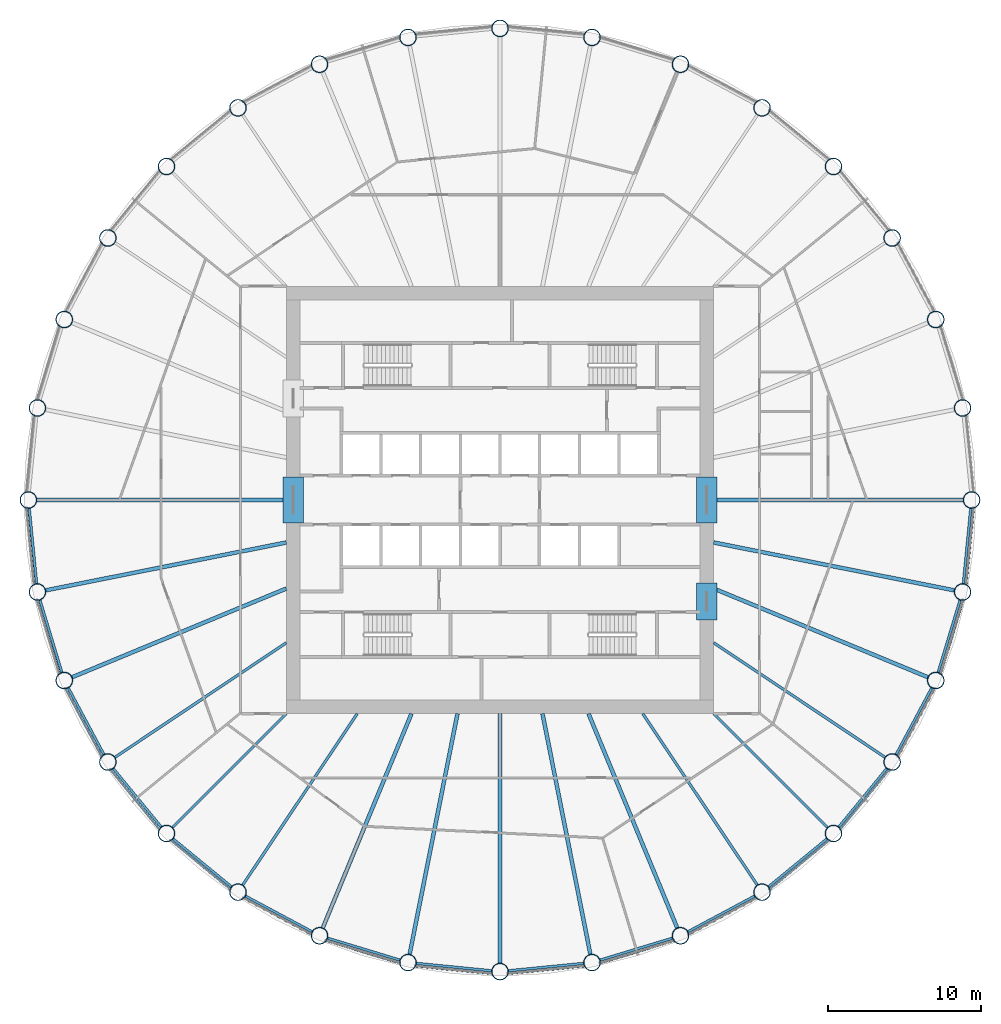
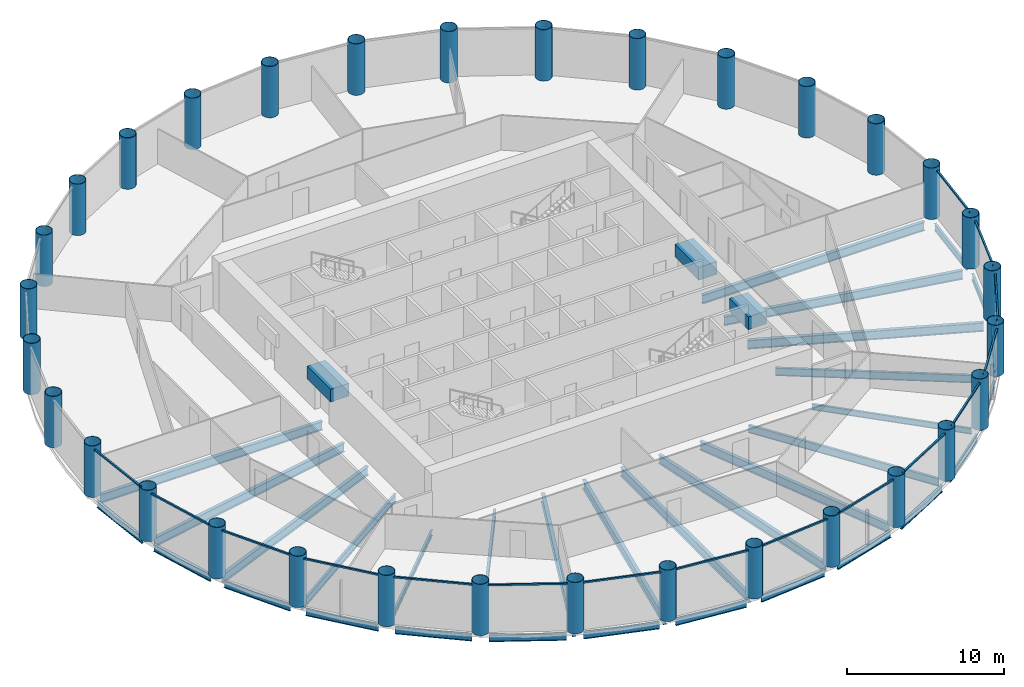
# One storey, part 1 of 9: 36 beams, 32 columns, 16 members, 16 elements without a shape of their own.
"""IFC4 building model written with IfcOpenShell, lengths in metres."""

from ifc_helpers import new_model, si_unit, direction, frame, origin, origin_2d, place, context, subcontext, project, spatial, rectangle, hollow_circle, i_section, extrude, material, material_profile, profile_set, type_object, element, aggregate, save


model = new_model("IFC4")

# Units and contexts
model_context = context("Model", 3, precision=1e-05, world=origin(), true_north=direction((0.0, 1.0)))
body_context = subcontext(model_context, "Body", "Model", "MODEL_VIEW")
ifc_project = project(units=[si_unit("LENGTHUNIT", "METRE"), si_unit("AREAUNIT", "SQUARE_METRE"), si_unit("VOLUMEUNIT", "CUBIC_METRE"), si_unit("PLANEANGLEUNIT", "RADIAN"), si_unit("MASSUNIT", "GRAM", prefix="KILO")], contexts=[model_context])

# Site, building, storey
site_placement = place(None, origin())
site = spatial("IfcSite", under=ifc_project, at=site_placement, CompositionType="ELEMENT")
building_placement = place(site_placement, origin())
building = spatial("IfcBuilding", under=site, at=building_placement, Name="Corvane Civic Tower", CompositionType="ELEMENT")
storey_placement = place(building_placement, frame((0.0, 0.0, 184.0)))
storey = spatial("IfcBuildingStorey", under=building, at=storey_placement, Name="L43", CompositionType="ELEMENT", Elevation=184.0)

# Columns
ifc_material_1 = material(Name="Steel ASTM A572 Gr 50", Category="steel")
ifc_material_profile_1 = material_profile(ifc_material_1, hollow_circle(Radius=0.550048828125, WallThickness=0.031982421875, at=origin_2d()), Name="CHS1100X32")
ifc_profile_set_1 = profile_set([ifc_material_profile_1], Name="Steel ASTM A572 Gr 50")
column_type = type_object("IfcColumnType", Name="COMPOSITE COLUMN CHS1100X32", PredefinedType="COLUMN", material=ifc_profile_set_1)
for number, where, z_axis, x_axis, name in (
    (1, (0.0, 30.89990234375, 0.0), (0.0, 0.0, 1.0), (1.0, 0.0, 0.0), "COL-L43-C01"),
    (2, (6.0283203125, 30.30615234375, 0.0), (0.0, 0.0, 1.0), (1.0, 0.0, 0.0), "COL-L43-C02"),
    (3, (11.824951171875, 28.5478515625, 0.0), (0.0, 0.0, 1.0), (1.0, 0.0, 0.0), "COL-L43-C03"),
    (4, (17.167236328125, 25.6923828125, 0.0), (0.0, 0.0, 1.0), (1.0, 0.0, 0.0), "COL-L43-C04"),
    (5, (21.849609375, 21.849609375, 0.0), (0.0, 0.0, 1.0), (1.0, 0.0, 0.0), "COL-L43-C05"),
    (6, (25.6923828125, 17.167236328125, 0.0), (0.0, 0.0, 1.0), (1.0, 0.0, 0.0), "COL-L43-C06"),
    (7, (28.5478515625, 11.824951171875, 0.0), (0.0, 0.0, 1.0), (1.0, 0.0, 0.0), "COL-L43-C07"),
    (8, (30.30615234375, 6.0283203125, 0.0), (0.0, 0.0, 1.0), (1.0, 0.0, 0.0), "COL-L43-C08"),
    (9, (30.89990234375, 0.0, 0.0), (0.0, 0.0, 1.0), (1.0, 0.0, 0.0), "COL-L43-C09"),
    (10, (30.30615234375, -6.0283203125, 0.0), (0.0, 0.0, 1.0), (1.0, 0.0, 0.0), "COL-L43-C10"),
    (11, (28.5478515625, -11.824951171875, 0.0), (0.0, 0.0, 1.0), (1.0, 0.0, 0.0), "COL-L43-C11"),
    (12, (25.6923828125, -17.167236328125, 0.0), (0.0, 0.0, 1.0), (1.0, 0.0, 0.0), "COL-L43-C12"),
    (13, (21.849609375, -21.849609375, 0.0), (0.0, 0.0, 1.0), (1.0, 0.0, 0.0), "COL-L43-C13"),
    (14, (17.167236328125, -25.6923828125, 0.0), (0.0, 0.0, 1.0), (1.0, 0.0, 0.0), "COL-L43-C14"),
    (15, (11.824951171875, -28.5478515625, 0.0), (0.0, 0.0, 1.0), (1.0, 0.0, 0.0), "COL-L43-C15"),
    (16, (6.0283203125, -30.30615234375, 0.0), (0.0, 0.0, 1.0), (1.0, 0.0, 0.0), "COL-L43-C16"),
    (17, (0.0, -30.89990234375, 0.0), (0.0, 0.0, 1.0), (1.0, 0.0, 0.0), "COL-L43-C17"),
    (18, (-6.0283203125, -30.30615234375, 0.0), (0.0, 0.0, 1.0), (1.0, 0.0, 0.0), "COL-L43-C18"),
    (19, (-11.824951171875, -28.5478515625, 0.0), (0.0, 0.0, 1.0), (1.0, 0.0, 0.0), "COL-L43-C19"),
    (20, (-17.167236328125, -25.6923828125, 0.0), (0.0, 0.0, 1.0), (1.0, 0.0, 0.0), "COL-L43-C20"),
    (21, (-21.849609375, -21.849609375, 0.0), (0.0, 0.0, 1.0), (1.0, 0.0, 0.0), "COL-L43-C21"),
    (22, (-25.6923828125, -17.167236328125, 0.0), (0.0, 0.0, 1.0), (1.0, 0.0, 0.0), "COL-L43-C22"),
    (23, (-28.5478515625, -11.824951171875, 0.0), (0.0, 0.0, 1.0), (1.0, 0.0, 0.0), "COL-L43-C23"),
    (24, (-30.30615234375, -6.0283203125, 0.0), (0.0, 0.0, 1.0), (1.0, 0.0, 0.0), "COL-L43-C24"),
    (25, (-30.89990234375, 0.0, 0.0), (0.0, 0.0, 1.0), (1.0, 0.0, 0.0), "COL-L43-C25"),
    (26, (-30.30615234375, 6.0283203125, 0.0), (0.0, 0.0, 1.0), (1.0, 0.0, 0.0), "COL-L43-C26"),
    (27, (-28.5478515625, 11.824951171875, 0.0), (0.0, 0.0, 1.0), (1.0, 0.0, 0.0), "COL-L43-C27"),
    (28, (-25.6923828125, 17.167236328125, 0.0), (0.0, 0.0, 1.0), (1.0, 0.0, 0.0), "COL-L43-C28"),
    (29, (-21.849609375, 21.849609375, 0.0), (0.0, 0.0, 1.0), (1.0, 0.0, 0.0), "COL-L43-C29"),
    (30, (-17.167236328125, 25.6923828125, 0.0), (0.0, 0.0, 1.0), (1.0, 0.0, 0.0), "COL-L43-C30"),
    (31, (-11.824951171875, 28.5478515625, 0.0), (0.0, 0.0, 1.0), (1.0, 0.0, 0.0), "COL-L43-C31"),
    (32, (-6.0283203125, 30.30615234375, 0.0), (0.0, 0.0, 1.0), (1.0, 0.0, 0.0), "COL-L43-C32"),
):
    element("IfcColumn", number, at=place(storey_placement, frame(where, z_axis=z_axis, x_axis=x_axis)), inside=storey, type_object=column_type, Name=name, PredefinedType="COLUMN", context=body_context, shape_type="SweptSolid", body=[
        extrude(hollow_circle(Radius=0.550048828125, WallThickness=0.031982421875, at=origin_2d()), origin(), (0.0, 0.0, 1.0), 4.0),
    ])

# Beams
ifc_material_2 = material(Name="Concrete C60/75", Category="concrete")
ifc_material_profile_2 = material_profile(ifc_material_2, rectangle(XDim=1.35009765625, YDim=1.0, at=origin_2d()), Name="COUPLING BEAM 1350X1000")
ifc_profile_set_2 = profile_set([ifc_material_profile_2], Name="Concrete C60/75")
beam_type_1 = type_object("IfcBeamType", Name="COUPLING BEAM COUPLING BEAM 1350X1000", PredefinedType="BEAM", material=ifc_profile_set_2)
for number, where, z_axis, x_axis, name in (
    (33, (-13.550048828125, -1.5, 2.60009765625), (0.0, 1.0, 0.0), (-1.0, 0.0, 0.0), "BM-L43-cpl-CW-LW"),
    (34, (13.550048828125, -1.5, 2.60009765625), (0.0, 1.0, 0.0), (-1.0, 0.0, 0.0), "BM-L43-cpl-CW-LE"),
):
    element("IfcBeam", number, at=place(storey_placement, frame(where, z_axis=z_axis, x_axis=x_axis)), inside=storey, type_object=beam_type_1, Name=name, PredefinedType="BEAM", context=body_context, shape_type="SweptSolid", body=[
        extrude(rectangle(XDim=1.35009765625, YDim=1.0, at=origin_2d()), origin(), (0.0, 0.0, 1.0), 3.0),
    ])
beam_1_placement = place(storey_placement, frame((13.550048828125, -7.85009765625, 2.60009765625), z_axis=(0.0, 1.0, 0.0), x_axis=(-1.0, 0.0, 0.0)))
element("IfcBeam", 35, at=beam_1_placement, inside=storey, type_object=beam_type_1, Name="BM-L43-cpl-CW-ES", PredefinedType="BEAM", context=body_context, shape_type="SweptSolid", body=[
    extrude(rectangle(XDim=1.35009765625, YDim=1.0, at=origin_2d()), origin(), (0.0, 0.0, 1.0), 2.400146484375),
])
ifc_material_3 = material(Name="Steel ASTM A992 Gr 50", Category="steel")
ifc_material_profile_3 = material_profile(ifc_material_3, i_section(OverallWidth=0.165771484375, OverallDepth=0.5283203125, WebThickness=0.009765625, FlangeThickness=0.013671875, at=origin_2d()), Name="W21X50")
ifc_profile_set_3 = profile_set([ifc_material_profile_3], Name="Steel ASTM A992 Gr 50")
beam_type_2 = type_object("IfcBeamType", Name="EDGE BEAM W21X50", PredefinedType="BEAM", material=ifc_profile_set_3)
beam_2_placement = place(storey_placement, frame((30.845947265625, -0.54736328125, -0.564208984375), z_axis=(-0.09800181167, -0.995186236294, 0.0), x_axis=(0.995186236294, -0.09800181167, 0.0)))
element("IfcBeam", 36, at=beam_2_placement, inside=storey, type_object=beam_type_2, Name="BM-L43-E09", PredefinedType="BEAM", context=body_context, shape_type="SweptSolid", body=[
    extrude(i_section(OverallWidth=0.165771484375, OverallDepth=0.5283203125, WebThickness=0.009765625, FlangeThickness=0.013671875, at=origin_2d()), origin(), (0.0, 0.0, 1.0), 4.95751953125),
])
beam_3_placement = place(storey_placement, frame((30.146484375, -6.5546875, -0.564208984375), z_axis=(-0.290269821381, -0.956944842086, 0.0), x_axis=(0.956944842086, -0.290269821381, 0.0)))
element("IfcBeam", 37, at=beam_3_placement, inside=storey, type_object=beam_type_2, Name="BM-L43-E10", PredefinedType="BEAM", context=body_context, shape_type="SweptSolid", body=[
    extrude(i_section(OverallWidth=0.165771484375, OverallDepth=0.5283203125, WebThickness=0.009765625, FlangeThickness=0.013671875, at=origin_2d()), origin(), (0.0, 0.0, 1.0), 4.957275390625),
])
for number, where, z_axis, x_axis, name in (
    (38, (28.28857421875, -12.31005859375, -0.564208984375), (-0.471395763042, -0.881921784846, 0.0), (0.881921784846, -0.471395763042, 0.0), "BM-L43-E11"),
    (39, (25.343505859375, -17.59228515625, -0.564208984375), (-0.634387546532, -0.77301516208, 0.0), (0.77301516208, -0.634387546532, 0.0), "BM-L43-E12"),
    (40, (21.424560546875, -22.198486328125, -0.564208984375), (-0.77301516208, -0.634387546532, 0.0), (0.634387546532, -0.77301516208, 0.0), "BM-L43-E13"),
    (41, (16.68212890625, -25.95166015625, -0.564208984375), (-0.881921784846, -0.471395763042, 0.0), (0.471395763042, -0.881921784846, 0.0), "BM-L43-E14"),
):
    element("IfcBeam", number, at=place(storey_placement, frame(where, z_axis=z_axis, x_axis=x_axis)), inside=storey, type_object=beam_type_2, Name=name, PredefinedType="BEAM", context=body_context, shape_type="SweptSolid", body=[
        extrude(i_section(OverallWidth=0.165771484375, OverallDepth=0.5283203125, WebThickness=0.009765625, FlangeThickness=0.013671875, at=origin_2d()), origin(), (0.0, 0.0, 1.0), 4.95751953125),
    ])
beam_4_placement = place(storey_placement, frame((11.298583984375, -28.70751953125, -0.564208984375), z_axis=(-0.956944842086, -0.290269821381, 0.0), x_axis=(0.290269821381, -0.956944842086, 0.0)))
element("IfcBeam", 42, at=beam_4_placement, inside=storey, type_object=beam_type_2, Name="BM-L43-E15", PredefinedType="BEAM", context=body_context, shape_type="SweptSolid", body=[
    extrude(i_section(OverallWidth=0.165771484375, OverallDepth=0.5283203125, WebThickness=0.009765625, FlangeThickness=0.013671875, at=origin_2d()), origin(), (0.0, 0.0, 1.0), 4.957275390625),
])
for number, where, z_axis, x_axis, name in (
    (43, (5.48095703125, -30.360107421875, -0.564208984375), (-0.995186236294, -0.09800181167, 0.0), (0.09800181167, -0.995186236294, 0.0), "BM-L43-E16"),
    (44, (-0.54736328125, -30.845947265625, -0.564208984375), (-0.995186236294, 0.09800181167, 0.0), (-0.09800181167, -0.995186236294, 0.0), "BM-L43-E17"),
):
    element("IfcBeam", number, at=place(storey_placement, frame(where, z_axis=z_axis, x_axis=x_axis)), inside=storey, type_object=beam_type_2, Name=name, PredefinedType="BEAM", context=body_context, shape_type="SweptSolid", body=[
        extrude(i_section(OverallWidth=0.165771484375, OverallDepth=0.5283203125, WebThickness=0.009765625, FlangeThickness=0.013671875, at=origin_2d()), origin(), (0.0, 0.0, 1.0), 4.95751953125),
    ])
beam_5_placement = place(storey_placement, frame((-6.5546875, -30.146484375, -0.564208984375), z_axis=(-0.956944842086, 0.290269821381, 0.0), x_axis=(-0.290269821381, -0.956944842086, 0.0)))
element("IfcBeam", 45, at=beam_5_placement, inside=storey, type_object=beam_type_2, Name="BM-L43-E18", PredefinedType="BEAM", context=body_context, shape_type="SweptSolid", body=[
    extrude(i_section(OverallWidth=0.165771484375, OverallDepth=0.5283203125, WebThickness=0.009765625, FlangeThickness=0.013671875, at=origin_2d()), origin(), (0.0, 0.0, 1.0), 4.957275390625),
])
for number, where, z_axis, x_axis, name in (
    (46, (-12.31005859375, -28.28857421875, -0.564208984375), (-0.881921784846, 0.471395763042, 0.0), (-0.471395763042, -0.881921784846, 0.0), "BM-L43-E19"),
    (47, (-17.59228515625, -25.343505859375, -0.564208984375), (-0.77301516208, 0.634387546532, 0.0), (-0.634387546532, -0.77301516208, 0.0), "BM-L43-E20"),
    (48, (-22.198486328125, -21.424560546875, -0.564208984375), (-0.634387546532, 0.77301516208, 0.0), (-0.77301516208, -0.634387546532, 0.0), "BM-L43-E21"),
    (49, (-25.95166015625, -16.68212890625, -0.564208984375), (-0.471395763042, 0.881921784846, 0.0), (-0.881921784846, -0.471395763042, 0.0), "BM-L43-E22"),
):
    element("IfcBeam", number, at=place(storey_placement, frame(where, z_axis=z_axis, x_axis=x_axis)), inside=storey, type_object=beam_type_2, Name=name, PredefinedType="BEAM", context=body_context, shape_type="SweptSolid", body=[
        extrude(i_section(OverallWidth=0.165771484375, OverallDepth=0.5283203125, WebThickness=0.009765625, FlangeThickness=0.013671875, at=origin_2d()), origin(), (0.0, 0.0, 1.0), 4.95751953125),
    ])
beam_6_placement = place(storey_placement, frame((-28.70751953125, -11.298583984375, -0.564208984375), z_axis=(-0.290269821381, 0.956944842086, 0.0), x_axis=(-0.956944842086, -0.290269821381, 0.0)))
element("IfcBeam", 50, at=beam_6_placement, inside=storey, type_object=beam_type_2, Name="BM-L43-E23", PredefinedType="BEAM", context=body_context, shape_type="SweptSolid", body=[
    extrude(i_section(OverallWidth=0.165771484375, OverallDepth=0.5283203125, WebThickness=0.009765625, FlangeThickness=0.013671875, at=origin_2d()), origin(), (0.0, 0.0, 1.0), 4.957275390625),
])
beam_7_placement = place(storey_placement, frame((-30.360107421875, -5.48095703125, -0.564208984375), z_axis=(-0.09800181167, 0.995186236294, 0.0), x_axis=(-0.995186236294, -0.09800181167, 0.0)))
element("IfcBeam", 51, at=beam_7_placement, inside=storey, type_object=beam_type_2, Name="BM-L43-E24", PredefinedType="BEAM", context=body_context, shape_type="SweptSolid", body=[
    extrude(i_section(OverallWidth=0.165771484375, OverallDepth=0.5283203125, WebThickness=0.009765625, FlangeThickness=0.013671875, at=origin_2d()), origin(), (0.0, 0.0, 1.0), 4.95751953125),
])
ifc_material_4 = material(Name="Steel ASTM A992 Gr 50", Category="steel")
ifc_material_profile_4 = material_profile(ifc_material_4, i_section(OverallWidth=0.15283203125, OverallDepth=0.45458984375, WebThickness=0.008056640625, FlangeThickness=0.013427734375, at=origin_2d()), Name="W18X40")
ifc_profile_set_4 = profile_set([ifc_material_profile_4], Name="Steel ASTM A992 Gr 50")
beam_type_3 = type_object("IfcBeamType", Name="FLOOR GIRDER W18X40", PredefinedType="BEAM", material=ifc_profile_set_4)
for number, where, z_axis, x_axis, name in (
    (52, (14.0, -14.0, -0.52734375), (0.707106781187, -0.707106781187, 0.0), (0.707106781187, 0.707106781187, 0.0), "BM-L43-G13"),
    (53, (-14.0, -14.0, -0.52734375), (-0.707106781187, -0.707106781187, 0.0), (0.707106781187, -0.707106781187, 0.0), "BM-L43-G21"),
):
    element("IfcBeam", number, at=place(storey_placement, frame(where, z_axis=z_axis, x_axis=x_axis)), inside=storey, type_object=beam_type_3, Name=name, PredefinedType="BEAM", context=body_context, shape_type="SweptSolid", body=[
        extrude(i_section(OverallWidth=0.15283203125, OverallDepth=0.45458984375, WebThickness=0.008056640625, FlangeThickness=0.013427734375, at=origin_2d()), origin(), (0.0, 0.0, 1.0), 10.551025390625),
    ])
ifc_material_5 = material(Name="Steel ASTM A992 Gr 50", Category="steel")
ifc_material_profile_5 = material_profile(ifc_material_5, i_section(OverallWidth=0.177978515625, OverallDepth=0.599365234375, WebThickness=0.010009765625, FlangeThickness=0.012939453125, at=origin_2d()), Name="W24X55")
ifc_profile_set_5 = profile_set([ifc_material_profile_5], Name="Steel ASTM A992 Gr 50")
beam_type_4 = type_object("IfcBeamType", Name="FLOOR GIRDER W24X55", PredefinedType="BEAM", material=ifc_profile_set_5)
for number, where, z_axis, x_axis, name in (
    (54, (14.0, -9.3544921875, -0.599609375), (0.83146888399, -0.555571323015, 0.0), (0.555571323015, 0.83146888399, 0.0), "BM-L43-G12"),
    (55, (9.3544921875, -14.0, -0.599609375), (0.555571323015, -0.83146888399, 0.0), (0.83146888399, 0.555571323015, 0.0), "BM-L43-G14"),
    (56, (-9.3544921875, -14.0, -0.599609375), (-0.555571323015, -0.83146888399, 0.0), (0.83146888399, -0.555571323015, 0.0), "BM-L43-G20"),
    (57, (-14.0, -9.3544921875, -0.599609375), (-0.83146888399, -0.555571323015, 0.0), (0.555571323015, -0.83146888399, 0.0), "BM-L43-G22"),
):
    element("IfcBeam", number, at=place(storey_placement, frame(where, z_axis=z_axis, x_axis=x_axis)), inside=storey, type_object=beam_type_4, Name=name, PredefinedType="BEAM", context=body_context, shape_type="SweptSolid", body=[
        extrude(i_section(OverallWidth=0.177978515625, OverallDepth=0.599365234375, WebThickness=0.010009765625, FlangeThickness=0.012939453125, at=origin_2d()), origin(), (0.0, 0.0, 1.0), 13.512451171875),
    ])
ifc_material_6 = material(Name="Steel ASTM A992 Gr 50", Category="steel")
ifc_material_profile_6 = material_profile(ifc_material_6, i_section(OverallWidth=0.25390625, OverallDepth=0.67822265625, WebThickness=0.01171875, FlangeThickness=0.016357421875, at=origin_2d()), Name="W27X84")
ifc_profile_set_6 = profile_set([ifc_material_profile_6], Name="Steel ASTM A992 Gr 50")
beam_type_5 = type_object("IfcBeamType", Name="FLOOR GIRDER W27X84", PredefinedType="BEAM", material=ifc_profile_set_6)
beam_8_placement = place(storey_placement, frame((14.0, 0.0, -0.63916015625), z_axis=(1.0, 0.0, 0.0), x_axis=(0.0, 1.0, 0.0)))
element("IfcBeam", 58, at=beam_8_placement, inside=storey, type_object=beam_type_5, Name="BM-L43-G09", PredefinedType="BEAM", context=body_context, shape_type="SweptSolid", body=[
    extrude(i_section(OverallWidth=0.25390625, OverallDepth=0.67822265625, WebThickness=0.01171875, FlangeThickness=0.016357421875, at=origin_2d()), origin(), (0.0, 0.0, 1.0), 16.35009765625),
])
beam_9_placement = place(storey_placement, frame((14.0, -2.78466796875, -0.63916015625), z_axis=(0.980785162999, -0.195090912248, 0.0), x_axis=(0.195090912248, 0.980785162999, 0.0)))
element("IfcBeam", 59, at=beam_9_placement, inside=storey, type_object=beam_type_5, Name="BM-L43-G10", PredefinedType="BEAM", context=body_context, shape_type="SweptSolid", body=[
    extrude(i_section(OverallWidth=0.25390625, OverallDepth=0.67822265625, WebThickness=0.01171875, FlangeThickness=0.016357421875, at=origin_2d()), origin(), (0.0, 0.0, 1.0), 16.07568359375),
])
for number, where, z_axis, x_axis, name in (
    (60, (14.0, -5.799072265625, -0.63916015625), (0.923880551114, -0.38268097323, 0.0), (0.38268097323, 0.923880551114, 0.0), "BM-L43-G11"),
    (61, (5.799072265625, -14.0, -0.63916015625), (0.38268097323, -0.923880551114, 0.0), (0.923880551114, 0.38268097323, 0.0), "BM-L43-G15"),
):
    element("IfcBeam", number, at=place(storey_placement, frame(where, z_axis=z_axis, x_axis=x_axis)), inside=storey, type_object=beam_type_5, Name=name, PredefinedType="BEAM", context=body_context, shape_type="SweptSolid", body=[
        extrude(i_section(OverallWidth=0.25390625, OverallDepth=0.67822265625, WebThickness=0.01171875, FlangeThickness=0.016357421875, at=origin_2d()), origin(), (0.0, 0.0, 1.0), 15.196533203125),
    ])
beam_10_placement = place(storey_placement, frame((2.78466796875, -14.0, -0.63916015625), z_axis=(0.195090912248, -0.980785162999, 0.0), x_axis=(0.980785162999, 0.195090912248, 0.0)))
element("IfcBeam", 62, at=beam_10_placement, inside=storey, type_object=beam_type_5, Name="BM-L43-G16", PredefinedType="BEAM", context=body_context, shape_type="SweptSolid", body=[
    extrude(i_section(OverallWidth=0.25390625, OverallDepth=0.67822265625, WebThickness=0.01171875, FlangeThickness=0.016357421875, at=origin_2d()), origin(), (0.0, 0.0, 1.0), 16.07568359375),
])
beam_11_placement = place(storey_placement, frame((0.0, -14.0, -0.63916015625), z_axis=(0.0, -1.0, 0.0), x_axis=(1.0, 0.0, 0.0)))
element("IfcBeam", 63, at=beam_11_placement, inside=storey, type_object=beam_type_5, Name="BM-L43-G17", PredefinedType="BEAM", context=body_context, shape_type="SweptSolid", body=[
    extrude(i_section(OverallWidth=0.25390625, OverallDepth=0.67822265625, WebThickness=0.01171875, FlangeThickness=0.016357421875, at=origin_2d()), origin(), (0.0, 0.0, 1.0), 16.35009765625),
])
beam_12_placement = place(storey_placement, frame((-2.78466796875, -14.0, -0.63916015625), z_axis=(-0.195090912248, -0.980785162999, 0.0), x_axis=(0.980785162999, -0.195090912248, 0.0)))
element("IfcBeam", 64, at=beam_12_placement, inside=storey, type_object=beam_type_5, Name="BM-L43-G18", PredefinedType="BEAM", context=body_context, shape_type="SweptSolid", body=[
    extrude(i_section(OverallWidth=0.25390625, OverallDepth=0.67822265625, WebThickness=0.01171875, FlangeThickness=0.016357421875, at=origin_2d()), origin(), (0.0, 0.0, 1.0), 16.07568359375),
])
for number, where, z_axis, x_axis, name in (
    (65, (-5.799072265625, -14.0, -0.63916015625), (-0.38268097323, -0.923880551114, 0.0), (0.923880551114, -0.38268097323, 0.0), "BM-L43-G19"),
    (66, (-14.0, -5.799072265625, -0.63916015625), (-0.923880551114, -0.38268097323, 0.0), (0.38268097323, -0.923880551114, 0.0), "BM-L43-G23"),
):
    element("IfcBeam", number, at=place(storey_placement, frame(where, z_axis=z_axis, x_axis=x_axis)), inside=storey, type_object=beam_type_5, Name=name, PredefinedType="BEAM", context=body_context, shape_type="SweptSolid", body=[
        extrude(i_section(OverallWidth=0.25390625, OverallDepth=0.67822265625, WebThickness=0.01171875, FlangeThickness=0.016357421875, at=origin_2d()), origin(), (0.0, 0.0, 1.0), 15.196533203125),
    ])
beam_13_placement = place(storey_placement, frame((-14.0, -2.78466796875, -0.63916015625), z_axis=(-0.980785162999, -0.195090912248, 0.0), x_axis=(0.195090912248, -0.980785162999, 0.0)))
element("IfcBeam", 67, at=beam_13_placement, inside=storey, type_object=beam_type_5, Name="BM-L43-G24", PredefinedType="BEAM", context=body_context, shape_type="SweptSolid", body=[
    extrude(i_section(OverallWidth=0.25390625, OverallDepth=0.67822265625, WebThickness=0.01171875, FlangeThickness=0.016357421875, at=origin_2d()), origin(), (0.0, 0.0, 1.0), 16.07568359375),
])
beam_14_placement = place(storey_placement, frame((-14.0, 0.0, -0.63916015625), z_axis=(-1.0, 0.0, 0.0), x_axis=(0.0, -1.0, 0.0)))
element("IfcBeam", 68, at=beam_14_placement, inside=storey, type_object=beam_type_5, Name="BM-L43-G25", PredefinedType="BEAM", context=body_context, shape_type="SweptSolid", body=[
    extrude(i_section(OverallWidth=0.25390625, OverallDepth=0.67822265625, WebThickness=0.01171875, FlangeThickness=0.016357421875, at=origin_2d()), origin(), (0.0, 0.0, 1.0), 16.35009765625),
])

# Curtain wall, member
ifc_material_7 = material(Name="Anodised aluminium bronze", Category="aluminium")
curtain_wall_type = type_object("IfcCurtainWallType", Name="TOWER CW-T2 STICK CURTAIN WALL", PredefinedType="NOTDEFINED", material=ifc_material_7)
curtain_wall_1_placement = place(storey_placement, origin())
curtain_wall_1 = element("IfcCurtainWall", 69, at=curtain_wall_1_placement, inside=storey, type_object=curtain_wall_type, Name="Curtain wall CW-T2 L43 bay 09", PredefinedType="NOTDEFINED")
ifc_material_8 = material(Name="Anodised aluminium bronze", Category="aluminium")
ifc_material_profile_7 = material_profile(ifc_material_8, rectangle(XDim=0.1201171875, YDim=0.1201171875, at=origin_2d()), Name="TOWER CW-T2 TRANSOM 120x120")
ifc_profile_set_7 = profile_set([ifc_material_profile_7], Name="Anodised aluminium bronze")
member_type = type_object("IfcMemberType", Name="TOWER CW-T2 TRANSOM 120x120", PredefinedType="USERDEFINED", material=ifc_profile_set_7)
member_1_placement = place(storey_placement, frame((31.0302734375, -0.505126953125, 3.68994140625), z_axis=(-0.097989755963, -0.995187423416, 0.0), x_axis=(0.995187423416, -0.097989755963, 0.0)))
member_1 = element("IfcMember", 70, at=member_1_placement, type_object=member_type, Name="Transom CW-T2 L43 09.1", ObjectType="TRANSOM", PredefinedType="USERDEFINED", context=body_context, shape_type="SweptSolid", body=[
    extrude(rectangle(XDim=0.1201171875, YDim=0.1201171875, at=origin_2d()), origin(), (0.0, 0.0, 1.0), 5.07763671875),
])
aggregate(curtain_wall_1, [member_1])

curtain_wall_2_placement = place(storey_placement, origin())
curtain_wall_2 = element("IfcCurtainWall", 71, at=curtain_wall_2_placement, inside=storey, type_object=curtain_wall_type, Name="Curtain wall CW-T2 L43 bay 10", PredefinedType="NOTDEFINED")
member_2_placement = place(storey_placement, frame((30.33544921875, -6.54931640625, 3.68994140625), z_axis=(-0.290288977061, -0.956939031389, 0.0), x_axis=(0.956939031389, -0.290288977061, 0.0)))
member_2 = element("IfcMember", 72, at=member_2_placement, type_object=member_type, Name="Transom CW-T2 L43 10.1", ObjectType="TRANSOM", PredefinedType="USERDEFINED", context=body_context, shape_type="SweptSolid", body=[
    extrude(rectangle(XDim=0.1201171875, YDim=0.1201171875, at=origin_2d()), origin(), (0.0, 0.0, 1.0), 5.077392578125),
])
aggregate(curtain_wall_2, [member_2])

curtain_wall_3_placement = place(storey_placement, origin())
curtain_wall_3 = element("IfcCurtainWall", 73, at=curtain_wall_3_placement, inside=storey, type_object=curtain_wall_type, Name="Curtain wall CW-T2 L43 bay 11", PredefinedType="NOTDEFINED")
member_3_placement = place(storey_placement, frame((28.474853515625, -12.341552734375, 3.68994140625), z_axis=(-0.471396615074, -0.881921329426, 0.0), x_axis=(0.881921329426, -0.471396615074, 0.0)))
member_3 = element("IfcMember", 74, at=member_3_placement, type_object=member_type, Name="Transom CW-T2 L43 11.1", ObjectType="TRANSOM", PredefinedType="USERDEFINED", context=body_context, shape_type="SweptSolid", body=[
    extrude(rectangle(XDim=0.1201171875, YDim=0.1201171875, at=origin_2d()), origin(), (0.0, 0.0, 1.0), 5.07763671875),
])
aggregate(curtain_wall_3, [member_3])

curtain_wall_4_placement = place(storey_placement, origin())
curtain_wall_4 = element("IfcCurtainWall", 75, at=curtain_wall_4_placement, inside=storey, type_object=curtain_wall_type, Name="Curtain wall CW-T2 L43 bay 12", PredefinedType="NOTDEFINED")
member_4_placement = place(storey_placement, frame((25.519775390625, -17.65966796875, 3.68994140625), z_axis=(-0.634386611146, -0.773015929719, 0.0), x_axis=(0.773015929719, -0.634386611146, 0.0)))
member_4 = element("IfcMember", 76, at=member_4_placement, type_object=member_type, Name="Transom CW-T2 L43 12.1", ObjectType="TRANSOM", PredefinedType="USERDEFINED", context=body_context, shape_type="SweptSolid", body=[
    extrude(rectangle(XDim=0.1201171875, YDim=0.1201171875, at=origin_2d()), origin(), (0.0, 0.0, 1.0), 5.0771484375),
])
aggregate(curtain_wall_4, [member_4])

curtain_wall_5_placement = place(storey_placement, origin())
curtain_wall_5 = element("IfcCurtainWall", 77, at=curtain_wall_5_placement, inside=storey, type_object=curtain_wall_type, Name="Curtain wall CW-T2 L43 bay 13", PredefinedType="NOTDEFINED")
member_5_placement = place(storey_placement, frame((21.58447265625, -22.298828125, 3.68994140625), z_axis=(-0.773015929719, -0.634386611146, 0.0), x_axis=(0.634386611146, -0.773015929719, 0.0)))
member_5 = element("IfcMember", 78, at=member_5_placement, type_object=member_type, Name="Transom CW-T2 L43 13.1", ObjectType="TRANSOM", PredefinedType="USERDEFINED", context=body_context, shape_type="SweptSolid", body=[
    extrude(rectangle(XDim=0.1201171875, YDim=0.1201171875, at=origin_2d()), origin(), (0.0, 0.0, 1.0), 5.0771484375),
])
aggregate(curtain_wall_5, [member_5])

curtain_wall_6_placement = place(storey_placement, origin())
curtain_wall_6 = element("IfcCurtainWall", 79, at=curtain_wall_6_placement, inside=storey, type_object=curtain_wall_type, Name="Curtain wall CW-T2 L43 bay 14", PredefinedType="NOTDEFINED")
member_6_placement = place(storey_placement, frame((16.819580078125, -26.081298828125, 3.68994140625), z_axis=(-0.881921329426, -0.471396615074, 0.0), x_axis=(0.471396615074, -0.881921329426, 0.0)))
member_6 = element("IfcMember", 80, at=member_6_placement, type_object=member_type, Name="Transom CW-T2 L43 14.1", ObjectType="TRANSOM", PredefinedType="USERDEFINED", context=body_context, shape_type="SweptSolid", body=[
    extrude(rectangle(XDim=0.1201171875, YDim=0.1201171875, at=origin_2d()), origin(), (0.0, 0.0, 1.0), 5.07763671875),
])
aggregate(curtain_wall_6, [member_6])

curtain_wall_7_placement = place(storey_placement, origin())
curtain_wall_7 = element("IfcCurtainWall", 81, at=curtain_wall_7_placement, inside=storey, type_object=curtain_wall_type, Name="Curtain wall CW-T2 L43 bay 15", PredefinedType="NOTDEFINED")
member_7_placement = place(storey_placement, frame((11.407958984375, -28.861572265625, 3.68994140625), z_axis=(-0.956939031389, -0.290288977061, 0.0), x_axis=(0.290288977061, -0.956939031389, 0.0)))
member_7 = element("IfcMember", 82, at=member_7_placement, type_object=member_type, Name="Transom CW-T2 L43 15.1", ObjectType="TRANSOM", PredefinedType="USERDEFINED", context=body_context, shape_type="SweptSolid", body=[
    extrude(rectangle(XDim=0.1201171875, YDim=0.1201171875, at=origin_2d()), origin(), (0.0, 0.0, 1.0), 5.077392578125),
])
aggregate(curtain_wall_7, [member_7])

curtain_wall_8_placement = place(storey_placement, origin())
curtain_wall_8 = element("IfcCurtainWall", 83, at=curtain_wall_8_placement, inside=storey, type_object=curtain_wall_type, Name="Curtain wall CW-T2 L43 bay 16", PredefinedType="NOTDEFINED")
member_8_placement = place(storey_placement, frame((5.558349609375, -30.53271484375, 3.68994140625), z_axis=(-0.995187423416, -0.097989755963, 0.0), x_axis=(0.097989755963, -0.995187423416, 0.0)))
member_8 = element("IfcMember", 84, at=member_8_placement, type_object=member_type, Name="Transom CW-T2 L43 16.1", ObjectType="TRANSOM", PredefinedType="USERDEFINED", context=body_context, shape_type="SweptSolid", body=[
    extrude(rectangle(XDim=0.1201171875, YDim=0.1201171875, at=origin_2d()), origin(), (0.0, 0.0, 1.0), 5.07763671875),
])
aggregate(curtain_wall_8, [member_8])

curtain_wall_9_placement = place(storey_placement, origin())
curtain_wall_9 = element("IfcCurtainWall", 85, at=curtain_wall_9_placement, inside=storey, type_object=curtain_wall_type, Name="Curtain wall CW-T2 L43 bay 17", PredefinedType="NOTDEFINED")
member_9_placement = place(storey_placement, frame((-0.505126953125, -31.0302734375, 3.68994140625), z_axis=(-0.995187423416, 0.097989755963, 0.0), x_axis=(-0.097989755963, -0.995187423416, 0.0)))
member_9 = element("IfcMember", 86, at=member_9_placement, type_object=member_type, Name="Transom CW-T2 L43 17.1", ObjectType="TRANSOM", PredefinedType="USERDEFINED", context=body_context, shape_type="SweptSolid", body=[
    extrude(rectangle(XDim=0.1201171875, YDim=0.1201171875, at=origin_2d()), origin(), (0.0, 0.0, 1.0), 5.07763671875),
])
aggregate(curtain_wall_9, [member_9])

curtain_wall_10_placement = place(storey_placement, origin())
curtain_wall_10 = element("IfcCurtainWall", 87, at=curtain_wall_10_placement, inside=storey, type_object=curtain_wall_type, Name="Curtain wall CW-T2 L43 bay 18", PredefinedType="NOTDEFINED")
member_10_placement = place(storey_placement, frame((-6.54931640625, -30.33544921875, 3.68994140625), z_axis=(-0.956939031389, 0.290288977061, 0.0), x_axis=(-0.290288977061, -0.956939031389, 0.0)))
member_10 = element("IfcMember", 88, at=member_10_placement, type_object=member_type, Name="Transom CW-T2 L43 18.1", ObjectType="TRANSOM", PredefinedType="USERDEFINED", context=body_context, shape_type="SweptSolid", body=[
    extrude(rectangle(XDim=0.1201171875, YDim=0.1201171875, at=origin_2d()), origin(), (0.0, 0.0, 1.0), 5.077392578125),
])
aggregate(curtain_wall_10, [member_10])

curtain_wall_11_placement = place(storey_placement, origin())
curtain_wall_11 = element("IfcCurtainWall", 89, at=curtain_wall_11_placement, inside=storey, type_object=curtain_wall_type, Name="Curtain wall CW-T2 L43 bay 19", PredefinedType="NOTDEFINED")
member_11_placement = place(storey_placement, frame((-12.341552734375, -28.474853515625, 3.68994140625), z_axis=(-0.881921329426, 0.471396615074, 0.0), x_axis=(-0.471396615074, -0.881921329426, 0.0)))
member_11 = element("IfcMember", 90, at=member_11_placement, type_object=member_type, Name="Transom CW-T2 L43 19.1", ObjectType="TRANSOM", PredefinedType="USERDEFINED", context=body_context, shape_type="SweptSolid", body=[
    extrude(rectangle(XDim=0.1201171875, YDim=0.1201171875, at=origin_2d()), origin(), (0.0, 0.0, 1.0), 5.07763671875),
])
aggregate(curtain_wall_11, [member_11])

curtain_wall_12_placement = place(storey_placement, origin())
curtain_wall_12 = element("IfcCurtainWall", 91, at=curtain_wall_12_placement, inside=storey, type_object=curtain_wall_type, Name="Curtain wall CW-T2 L43 bay 20", PredefinedType="NOTDEFINED")
member_12_placement = place(storey_placement, frame((-17.65966796875, -25.519775390625, 3.68994140625), z_axis=(-0.773015929719, 0.634386611146, 0.0), x_axis=(-0.634386611146, -0.773015929719, 0.0)))
member_12 = element("IfcMember", 92, at=member_12_placement, type_object=member_type, Name="Transom CW-T2 L43 20.1", ObjectType="TRANSOM", PredefinedType="USERDEFINED", context=body_context, shape_type="SweptSolid", body=[
    extrude(rectangle(XDim=0.1201171875, YDim=0.1201171875, at=origin_2d()), origin(), (0.0, 0.0, 1.0), 5.0771484375),
])
aggregate(curtain_wall_12, [member_12])

curtain_wall_13_placement = place(storey_placement, origin())
curtain_wall_13 = element("IfcCurtainWall", 93, at=curtain_wall_13_placement, inside=storey, type_object=curtain_wall_type, Name="Curtain wall CW-T2 L43 bay 21", PredefinedType="NOTDEFINED")
member_13_placement = place(storey_placement, frame((-22.298828125, -21.58447265625, 3.68994140625), z_axis=(-0.634386611146, 0.773015929719, 0.0), x_axis=(-0.773015929719, -0.634386611146, 0.0)))
member_13 = element("IfcMember", 94, at=member_13_placement, type_object=member_type, Name="Transom CW-T2 L43 21.1", ObjectType="TRANSOM", PredefinedType="USERDEFINED", context=body_context, shape_type="SweptSolid", body=[
    extrude(rectangle(XDim=0.1201171875, YDim=0.1201171875, at=origin_2d()), origin(), (0.0, 0.0, 1.0), 5.0771484375),
])
aggregate(curtain_wall_13, [member_13])

curtain_wall_14_placement = place(storey_placement, origin())
curtain_wall_14 = element("IfcCurtainWall", 95, at=curtain_wall_14_placement, inside=storey, type_object=curtain_wall_type, Name="Curtain wall CW-T2 L43 bay 22", PredefinedType="NOTDEFINED")
member_14_placement = place(storey_placement, frame((-26.081298828125, -16.819580078125, 3.68994140625), z_axis=(-0.471396615074, 0.881921329426, 0.0), x_axis=(-0.881921329426, -0.471396615074, 0.0)))
member_14 = element("IfcMember", 96, at=member_14_placement, type_object=member_type, Name="Transom CW-T2 L43 22.1", ObjectType="TRANSOM", PredefinedType="USERDEFINED", context=body_context, shape_type="SweptSolid", body=[
    extrude(rectangle(XDim=0.1201171875, YDim=0.1201171875, at=origin_2d()), origin(), (0.0, 0.0, 1.0), 5.07763671875),
])
aggregate(curtain_wall_14, [member_14])

curtain_wall_15_placement = place(storey_placement, origin())
curtain_wall_15 = element("IfcCurtainWall", 97, at=curtain_wall_15_placement, inside=storey, type_object=curtain_wall_type, Name="Curtain wall CW-T2 L43 bay 23", PredefinedType="NOTDEFINED")
member_15_placement = place(storey_placement, frame((-28.861572265625, -11.407958984375, 3.68994140625), z_axis=(-0.290288977061, 0.956939031389, 0.0), x_axis=(-0.956939031389, -0.290288977061, 0.0)))
member_15 = element("IfcMember", 98, at=member_15_placement, type_object=member_type, Name="Transom CW-T2 L43 23.1", ObjectType="TRANSOM", PredefinedType="USERDEFINED", context=body_context, shape_type="SweptSolid", body=[
    extrude(rectangle(XDim=0.1201171875, YDim=0.1201171875, at=origin_2d()), origin(), (0.0, 0.0, 1.0), 5.077392578125),
])
aggregate(curtain_wall_15, [member_15])

curtain_wall_16_placement = place(storey_placement, origin())
curtain_wall_16 = element("IfcCurtainWall", 99, at=curtain_wall_16_placement, inside=storey, type_object=curtain_wall_type, Name="Curtain wall CW-T2 L43 bay 24", PredefinedType="NOTDEFINED")
member_16_placement = place(storey_placement, frame((-30.53271484375, -5.558349609375, 3.68994140625), z_axis=(-0.097989755963, 0.995187423416, 0.0), x_axis=(-0.995187423416, -0.097989755963, 0.0)))
member_16 = element("IfcMember", 100, at=member_16_placement, type_object=member_type, Name="Transom CW-T2 L43 24.1", ObjectType="TRANSOM", PredefinedType="USERDEFINED", context=body_context, shape_type="SweptSolid", body=[
    extrude(rectangle(XDim=0.1201171875, YDim=0.1201171875, at=origin_2d()), origin(), (0.0, 0.0, 1.0), 5.07763671875),
])
aggregate(curtain_wall_16, [member_16])

save(model, "model.ifc")
